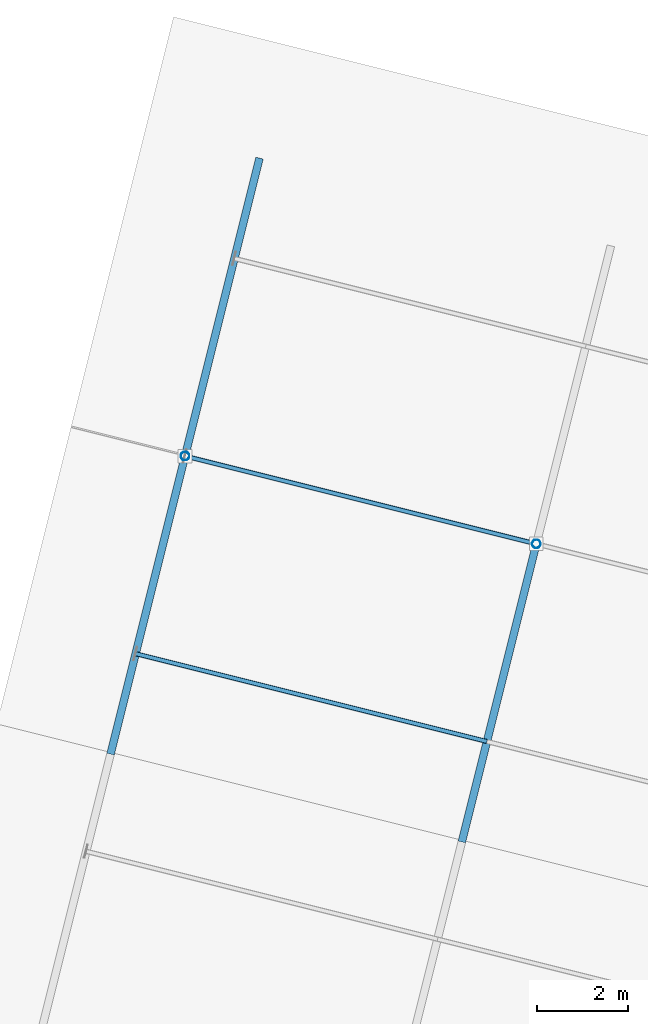
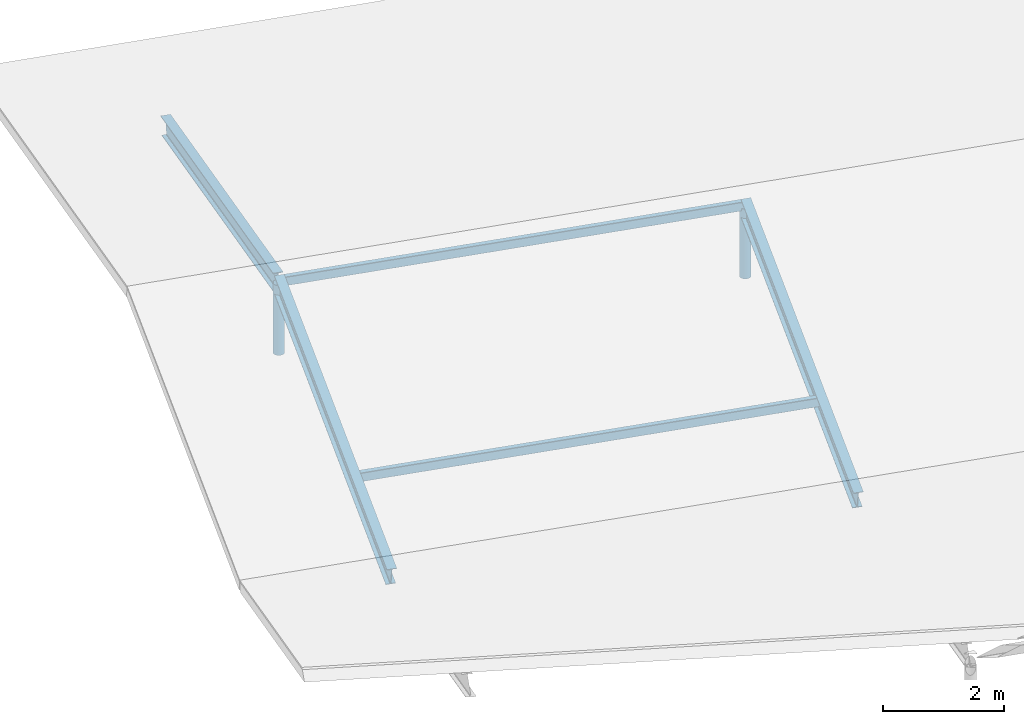
# One storey, part 57 of 107: 7 members.
"""IFC4 building model written with IfcOpenShell, lengths in metres."""

from ifc_helpers import new_model, si_unit, derived_unit, direction, frame, origin, origin_2d, place, context, subcontext, project, spatial, hollow_rectangle, hollow_circle, i_section, extrude, material, material_profile, profile_set, type_object, element, save


model = new_model("IFC4")

# Units and contexts
model_context = context("Model", 3, precision=1e-05, world=origin(), true_north=direction((0.0, 1.0)))
body_context = subcontext(model_context, "Body", "Model", "MODEL_VIEW")
ifc_project = project(units=[si_unit("LENGTHUNIT", "METRE"), si_unit("AREAUNIT", "SQUARE_METRE"), si_unit("VOLUMEUNIT", "CUBIC_METRE"), si_unit("PLANEANGLEUNIT", "RADIAN"), si_unit("MASSUNIT", "GRAM", prefix="KILO"), si_unit("THERMODYNAMICTEMPERATUREUNIT", "KELVIN"), si_unit("TIMEUNIT", "SECOND"), derived_unit("THERMALTRANSMITTANCEUNIT", [(si_unit("MASSUNIT", "GRAM", prefix="KILO"), 1), (si_unit("THERMODYNAMICTEMPERATUREUNIT", "KELVIN"), -1), (si_unit("TIMEUNIT", "SECOND"), -3)])], contexts=[model_context])

# Site, building, storey
site_placement = place(None, origin())
site = spatial("IfcSite", under=ifc_project, at=site_placement, CompositionType="ELEMENT")
building_placement = place(site_placement, origin())
building = spatial("IfcBuilding", under=site, at=building_placement, Name="Cambertide Market Hall", CompositionType="ELEMENT")
storey_placement = place(building_placement, frame((0.0, 0.0, 18.300048828125)))
storey = spatial("IfcBuildingStorey", under=building, at=storey_placement, Name="RF", CompositionType="ELEMENT", Elevation=18.300048828125)

# Members
ifc_material_1 = material(Name="Steel S355", Category="steel")
ifc_material_profile_1 = material_profile(ifc_material_1, i_section(OverallWidth=0.169921875, OverallDepth=0.360107421875, WebThickness=0.008056640625, FlangeThickness=0.0126953125, FilletRadius=0.01806640625, at=origin_2d()), Name="IPE 360")
ifc_profile_set_1 = profile_set([ifc_material_profile_1], Name="Steel S355")
member_type_1 = type_object("IfcMemberType", Name="Radial Fan Rafter IPE 360", PredefinedType="RAFTER", material=ifc_profile_set_1)
member_placement = place(storey_placement, frame((111.274169921875, 113.096923828125, -0.3701171875), z_axis=(0.237675269494, 0.950665635794, 0.199362271235), x_axis=(-0.970140372565, 0.242544135198, 0.0)))
element("IfcMember", 1, at=member_placement, inside=storey, type_object=member_type_1, Name="RAF-V4-1-3", PredefinedType="RAFTER", context=body_context, shape_type="SweptSolid", body=[
    extrude(i_section(OverallWidth=0.169921875, OverallDepth=0.360107421875, WebThickness=0.008056640625, FlangeThickness=0.0126953125, FilletRadius=0.01806640625, at=origin_2d()), origin(), (0.0, 0.0, 1.0), 6.888427734375),
])
for number, where, z_axis, x_axis, name in (
    (2, (112.911376953125, 119.6455078125, 1.003173828125), (0.2376832779, 0.950662224848, -0.199368988695), (-0.970138244761, 0.242552645939, 0.0), "RAF-V4-1-4"),
    (3, (119.035400390625, 111.15673828125, -0.3701171875), (0.2376832779, 0.950662224848, 0.199368988695), (-0.970138244761, 0.242552645939, 0.0), "RAF-V4-2-3"),
):
    element("IfcMember", number, at=place(storey_placement, frame(where, z_axis=z_axis, x_axis=x_axis)), inside=storey, type_object=member_type_1, Name=name, PredefinedType="RAFTER", context=body_context, shape_type="SweptSolid", body=[
        extrude(i_section(OverallWidth=0.169921875, OverallDepth=0.360107421875, WebThickness=0.008056640625, FlangeThickness=0.0126953125, FilletRadius=0.01806640625, at=origin_2d()), origin(), (0.0, 0.0, 1.0), 6.88818359375),
    ])
ifc_material_2 = material(Name="Steel S275", Category="steel")
ifc_material_profile_2 = material_profile(ifc_material_2, hollow_rectangle(XDim=0.10009765625, YDim=0.179931640625, WallThickness=0.00634765625, InnerFilletRadius=0.00634765625, OuterFilletRadius=0.0126953125, at=origin_2d()), Name="RHS 180x100x6.3")
ifc_profile_set_2 = profile_set([ifc_material_profile_2], Name="Steel S275")
member_type_2 = type_object("IfcMemberType", Name="Roof Purlin RHS 180x100x6.3", PredefinedType="PURLIN", material=ifc_profile_set_2)
for number, where, z_axis, x_axis, name in (
    (4, (111.81982421875, 115.27978515625, 0.11767578125), (0.970138909791, -0.242549986002, 0.0), (0.242549986002, 0.970138909791, 0.0), "PUR-V4-1-157"),
    (5, (112.911376953125, 119.6455078125, 1.033203125), (0.970138909791, -0.242549986002, 0.0), (0.242549986002, 0.970138909791, 0.0), "PUR-V4-1-202"),
):
    element("IfcMember", number, at=place(storey_placement, frame(where, z_axis=z_axis, x_axis=x_axis)), inside=storey, type_object=member_type_2, Name=name, PredefinedType="PURLIN", context=body_context, shape_type="SweptSolid", body=[
        extrude(hollow_rectangle(XDim=0.10009765625, YDim=0.179931640625, WallThickness=0.00634765625, InnerFilletRadius=0.00634765625, OuterFilletRadius=0.0126953125, at=origin_2d()), origin(), (0.0, 0.0, 1.0), 8.000244140625),
    ])
ifc_material_3 = material(Name="Steel S355", Category="steel")
ifc_material_profile_3 = material_profile(ifc_material_3, hollow_circle(Radius=0.096923828125, WallThickness=0.00634765625, at=origin_2d()), Name="CHS 193.7x6.3")
ifc_profile_set_3 = profile_set([ifc_material_profile_3], Name="Steel S355")
member_type_3 = type_object("IfcMemberType", Name="Structural Brace CHS 193.7x6.3", PredefinedType="BRACE", material=ifc_profile_set_3)
for number, where, z_axis, x_axis, name in (
    (6, (112.911376953125, 119.6455078125, -0.400146484375), (0.0, 0.0, 1.0), (1.0, 0.0, 0.0), "KP-V4-1-202"),
    (7, (120.672607421875, 117.705078125, -0.400146484375), (0.0, 0.0, 1.0), (1.0, 0.0, 0.0), "KP-V4-2-202"),
):
    element("IfcMember", number, at=place(storey_placement, frame(where, z_axis=z_axis, x_axis=x_axis)), inside=storey, type_object=member_type_3, Name=name, PredefinedType="BRACE", context=body_context, shape_type="SweptSolid", body=[
        extrude(hollow_circle(Radius=0.096923828125, WallThickness=0.00634765625, at=origin_2d()), origin(), (0.0, 0.0, 1.0), 1.4033203125),
    ])

save(model, "model.ifc")
